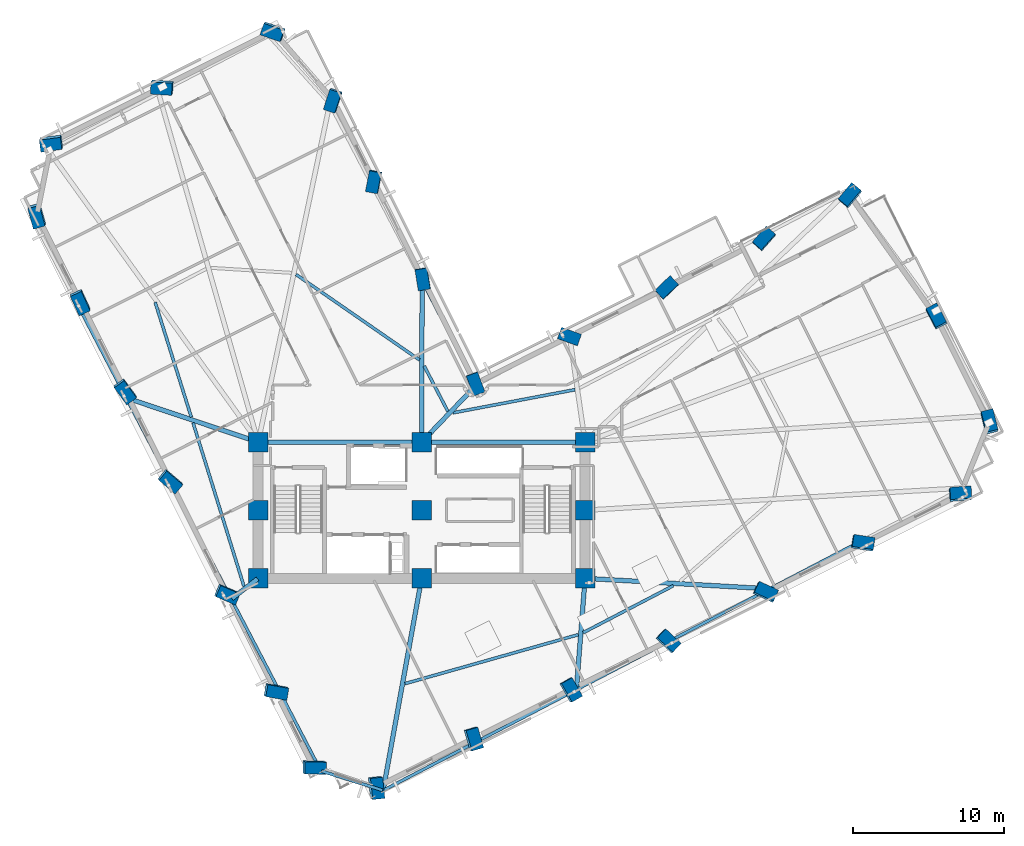
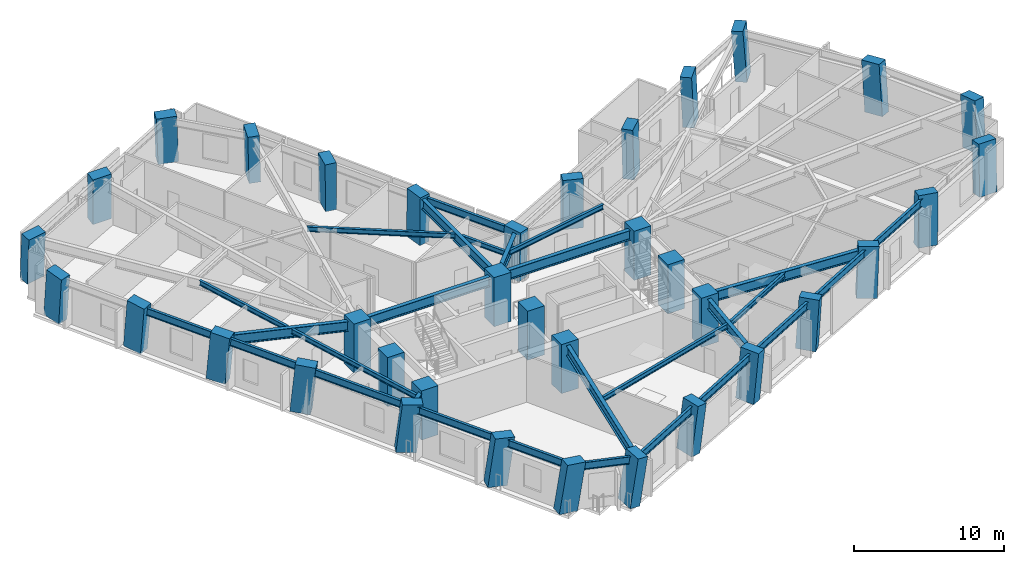
# One storey, part 1 of 16: 36 columns, 28 beams.
"""IFC4 building model written with IfcOpenShell, lengths in metres."""

from ifc_helpers import new_model, si_unit, direction, frame, origin, origin_2d, place, context, subcontext, project, spatial, rectangle, i_section, extrude, material, material_profile, profile_set, type_object, element, save


model = new_model("IFC4")

# Units and contexts
model_context = context("Model", 3, precision=1e-05, world=origin(), true_north=direction((0.0, 1.0)))
body_context = subcontext(model_context, "Body", "Model", "MODEL_VIEW")
ifc_project = project(units=[si_unit("LENGTHUNIT", "METRE"), si_unit("AREAUNIT", "SQUARE_METRE"), si_unit("VOLUMEUNIT", "CUBIC_METRE"), si_unit("PLANEANGLEUNIT", "RADIAN"), si_unit("MASSUNIT", "GRAM", prefix="KILO")], contexts=[model_context])

# Site, building, storey
site_placement = place(None, origin())
site = spatial("IfcSite", under=ifc_project, at=site_placement, CompositionType="ELEMENT")
building_placement = place(site_placement, origin())
building = spatial("IfcBuilding", under=site, at=building_placement, Name="Gaonmaruhae Medical Tower", CompositionType="ELEMENT")
storey_placement = place(building_placement, frame((0.0, 0.0, 136.39990234375)))
storey = spatial("IfcBuildingStorey", under=building, at=storey_placement, Name="L32", CompositionType="ELEMENT", Elevation=136.39990234375)

# Columns
ifc_material_1 = material(Name="Concrete C60/75", Category="concrete")
ifc_material_profile_1 = material_profile(ifc_material_1, rectangle(XDim=1.300048828125, YDim=1.300048828125, at=origin_2d()), Name="RC-1300x1300")
ifc_profile_set_1 = profile_set([ifc_material_profile_1], Name="Concrete C60/75")
column_type_1 = type_object("IfcColumnType", Name="CC-03 Zone 2 Core Column (RC-1300x1300)", PredefinedType="COLUMN", material=ifc_profile_set_1)
for number, where, z_axis, x_axis, name in (
    (1, (14.0, 7.800048828125, 0.0), (0.0, 0.0, 1.0), (1.0, 0.0, 0.0), "L32 Plumb Core Column CC11"),
    (2, (14.0, 12.300048828125, 0.0), (0.0, 0.0, 1.0), (1.0, 0.0, 0.0), "L32 Plumb Core Column CC12"),
    (3, (14.0, 16.800048828125, 0.0), (0.0, 0.0, 1.0), (1.0, 0.0, 0.0), "L32 Plumb Core Column CC13"),
    (4, (24.800048828125, 7.800048828125, 0.0), (0.0, 0.0, 1.0), (1.0, 0.0, 0.0), "L32 Plumb Core Column CC21"),
    (5, (24.800048828125, 12.300048828125, 0.0), (0.0, 0.0, 1.0), (1.0, 0.0, 0.0), "L32 Plumb Core Column CC22"),
    (6, (24.800048828125, 16.800048828125, 0.0), (0.0, 0.0, 1.0), (1.0, 0.0, 0.0), "L32 Plumb Core Column CC23"),
    (7, (35.60009765625, 7.800048828125, 0.0), (0.0, 0.0, 1.0), (1.0, 0.0, 0.0), "L32 Plumb Core Column CC31"),
    (8, (35.60009765625, 12.300048828125, 0.0), (0.0, 0.0, 1.0), (1.0, 0.0, 0.0), "L32 Plumb Core Column CC32"),
    (9, (35.60009765625, 16.800048828125, 0.0), (0.0, 0.0, 1.0), (1.0, 0.0, 0.0), "L32 Plumb Core Column CC33"),
):
    element("IfcColumn", number, at=place(storey_placement, frame(where, z_axis=z_axis, x_axis=x_axis)), inside=storey, type_object=column_type_1, Name=name, PredefinedType="COLUMN", context=body_context, shape_type="SweptSolid", body=[
        extrude(rectangle(XDim=1.300048828125, YDim=1.300048828125, at=origin_2d()), origin(), (0.0, 0.0, 1.0), 4.0),
    ])
ifc_material_profile_2 = material_profile(ifc_material_1, rectangle(XDim=1.39990234375, YDim=0.800048828125, at=origin_2d()), Name="RC-1400x800")
ifc_profile_set_2 = profile_set([ifc_material_profile_2], Name="Concrete C60/75")
column_type_2 = type_object("IfcColumnType", Name="TC-02 Mid Raking Tube Pier Column (RC-1400x800)", PredefinedType="COLUMN", material=ifc_profile_set_2)
column_1_placement = place(storey_placement, frame((21.74560546875, -6.020263671875, 0.001953125), z_axis=(0.126925294198, -0.047634814752, 0.990767830582), x_axis=(-0.101161353545, 0.993016408061, 0.060702502995)))
element("IfcColumn", 10, at=column_1_placement, inside=storey, type_object=column_type_2, Name="L32 Perimeter Tube Column S01", PredefinedType="COLUMN", context=body_context, shape_type="SweptSolid", body=[
    extrude(rectangle(XDim=1.39990234375, YDim=0.800048828125, at=origin_2d()), origin(), (0.0, 0.0, 1.0), 4.03369140625),
])
column_2_placement = place(storey_placement, frame((28.183349609375, -2.79638671875, 0.001953125), z_axis=(0.113835571582, -0.021359339657, 0.993269974001), x_axis=(-0.27222207335, 0.960835907914, 0.051860397653)))
element("IfcColumn", 11, at=column_2_placement, inside=storey, type_object=column_type_2, Name="L32 Perimeter Tube Column S02", PredefinedType="COLUMN", context=body_context, shape_type="SweptSolid", body=[
    extrude(rectangle(XDim=1.39990234375, YDim=0.800048828125, at=origin_2d()), origin(), (0.0, 0.0, 1.0), 4.0234375),
])
column_3_placement = place(storey_placement, frame((34.621337890625, 0.427490234375, 0.001953125), z_axis=(0.100471293785, 0.005044838103, 0.994927167552), x_axis=(-0.489767700686, 0.870688619745, 0.045043610104)))
element("IfcColumn", 12, at=column_3_placement, inside=storey, type_object=column_type_2, Name="L32 Perimeter Tube Column S03", PredefinedType="COLUMN", context=body_context, shape_type="SweptSolid", body=[
    extrude(rectangle(XDim=1.39990234375, YDim=0.800048828125, at=origin_2d()), origin(), (0.0, 0.0, 1.0), 4.0166015625),
])
column_4_placement = place(storey_placement, frame((41.05908203125, 3.6513671875, 0.001953125), z_axis=(0.087045946082, 0.031509294249, 0.995705864021), x_axis=(-0.7235601559, 0.68901563881, 0.041450576223)))
element("IfcColumn", 13, at=column_4_placement, inside=storey, type_object=column_type_2, Name="L32 Perimeter Tube Column S04", PredefinedType="COLUMN", context=body_context, shape_type="SweptSolid", body=[
    extrude(rectangle(XDim=1.39990234375, YDim=0.800048828125, at=origin_2d()), origin(), (0.0, 0.0, 1.0), 4.013671875),
])
column_5_placement = place(storey_placement, frame((47.4970703125, 6.875244140625, 0.001953125), z_axis=(0.073474149126, 0.057964291488, 0.995611214442), x_axis=(-0.903804980406, 0.425888036512, 0.041903910901)))
element("IfcColumn", 14, at=column_5_placement, inside=storey, type_object=column_type_2, Name="L32 Perimeter Tube Column S05", PredefinedType="COLUMN", context=body_context, shape_type="SweptSolid", body=[
    extrude(rectangle(XDim=1.39990234375, YDim=0.800048828125, at=origin_2d()), origin(), (0.0, 0.0, 1.0), 4.013916015625),
])
column_6_placement = place(storey_placement, frame((53.93505859375, 10.09912109375, 0.001953125), z_axis=(0.059912602707, 0.084339444784, 0.994634273535), x_axis=(-0.986866301457, 0.154755115005, 0.046322321071)))
element("IfcColumn", 15, at=column_6_placement, inside=storey, type_object=column_type_2, Name="L32 Perimeter Tube Column S06", PredefinedType="COLUMN", context=body_context, shape_type="SweptSolid", body=[
    extrude(rectangle(XDim=1.39990234375, YDim=0.800048828125, at=origin_2d()), origin(), (0.0, 0.0, 1.0), 4.017822265625),
])
column_7_placement = place(storey_placement, frame((60.372802734375, 13.3232421875, 0.001953125), z_axis=(0.046336981836, 0.110565861109, 0.992788030987), x_axis=(-0.996481062966, -0.064374604157, 0.053678687488)))
element("IfcColumn", 16, at=column_7_placement, inside=storey, type_object=column_type_2, Name="L32 Perimeter Tube Column S07", PredefinedType="COLUMN", context=body_context, shape_type="SweptSolid", body=[
    extrude(rectangle(XDim=1.39990234375, YDim=0.800048828125, at=origin_2d()), origin(), (0.0, 0.0, 1.0), 4.025390625),
])
column_8_placement = place(storey_placement, frame((62.29296875, 18.087158203125, 0.001953125), z_axis=(0.026621060483, 0.118309086564, 0.992619906699), x_axis=(0.241997163548, -0.964199136858, 0.108431532849)))
element("IfcColumn", 17, at=column_8_placement, inside=storey, type_object=column_type_2, Name="L32 Perimeter Tube Column E01", PredefinedType="COLUMN", context=body_context, shape_type="SweptSolid", body=[
    extrude(rectangle(XDim=1.39990234375, YDim=0.800048828125, at=origin_2d()), origin(), (0.0, 0.0, 1.0), 4.026123046875),
])
column_9_placement = place(storey_placement, frame((58.80029296875, 25.0615234375, 0.001953125), z_axis=(-0.001944330539, 0.103900163198, 0.994585831221), x_axis=(0.464319911257, -0.880779809394, 0.092919036668)))
element("IfcColumn", 18, at=column_9_placement, inside=storey, type_object=column_type_2, Name="L32 Perimeter Tube Column E02", PredefinedType="COLUMN", context=body_context, shape_type="SweptSolid", body=[
    extrude(rectangle(XDim=1.39990234375, YDim=0.800048828125, at=origin_2d()), origin(), (0.0, 0.0, 1.0), 4.01806640625),
])
column_10_placement = place(storey_placement, frame((53.11572265625, 33.063232421875, 0.001953125), z_axis=(-0.034749312252, 0.080270302732, 0.996167236862), x_axis=(-0.643362887967, -0.764558887204, 0.039165065868)))
element("IfcColumn", 19, at=column_10_placement, inside=storey, type_object=column_type_2, Name="L32 Perimeter Tube Column E03", PredefinedType="COLUMN", context=body_context, shape_type="SweptSolid", body=[
    extrude(rectangle(XDim=1.39990234375, YDim=0.800048828125, at=origin_2d()), origin(), (0.0, 0.0, 1.0), 4.01171875),
])
column_11_placement = place(storey_placement, frame((47.43798828125, 30.2197265625, 0.001953125), z_axis=(-0.022926759668, 0.057072997472, 0.998106726082), x_axis=(-0.663121749052, -0.748004750264, 0.027539780598)))
element("IfcColumn", 20, at=column_11_placement, inside=storey, type_object=column_type_2, Name="L32 Perimeter Tube Column EN01", PredefinedType="COLUMN", context=body_context, shape_type="SweptSolid", body=[
    extrude(rectangle(XDim=1.39990234375, YDim=0.800048828125, at=origin_2d()), origin(), (0.0, 0.0, 1.0), 4.00390625),
])
column_12_placement = place(storey_placement, frame((41.0, 26.995849609375, 0.001953125), z_axis=(-0.00934215371, 0.030590973914, 0.999488327335), x_axis=(-0.724454110909, -0.689174234147, 0.014321877472)))
element("IfcColumn", 21, at=column_12_placement, inside=storey, type_object=column_type_2, Name="L32 Perimeter Tube Column EN02", PredefinedType="COLUMN", context=body_context, shape_type="SweptSolid", body=[
    extrude(rectangle(XDim=1.39990234375, YDim=0.800048828125, at=origin_2d()), origin(), (0.0, 0.0, 1.0), 3.998291015625),
])
column_13_placement = place(storey_placement, frame((34.562255859375, 23.77197265625, 0.001953125), z_axis=(0.004215213278, 0.004031943135, 0.999982987561), x_axis=(-0.941623611576, 0.336657322205, 0.002611805604)))
element("IfcColumn", 22, at=column_13_placement, inside=storey, type_object=column_type_2, Name="L32 Perimeter Tube Column EN03", PredefinedType="COLUMN", context=body_context, shape_type="SweptSolid", body=[
    extrude(rectangle(XDim=1.39990234375, YDim=0.800048828125, at=origin_2d()), origin(), (0.0, 0.0, 1.0), 3.996337890625),
])
column_14_placement = place(storey_placement, frame((28.347900390625, 20.659912109375, 0.001953125), z_axis=(0.017282154619, -0.021617960194, 0.99961692209), x_axis=(-0.345727391393, 0.93796742084, 0.026261916961)))
element("IfcColumn", 23, at=column_14_placement, inside=storey, type_object=column_type_2, Name="L32 Perimeter Tube Column KN01", PredefinedType="COLUMN", context=body_context, shape_type="SweptSolid", body=[
    extrude(rectangle(XDim=1.39990234375, YDim=0.800048828125, at=origin_2d()), origin(), (0.0, 0.0, 1.0), 3.997802734375),
])
column_15_placement = place(storey_placement, frame((24.877685546875, 27.589599609375, 0.001953125), z_axis=(-0.011293721781, -0.036200956843, 0.999280712599), x_axis=(-0.161338689322, 0.986316421564, 0.033907873448)))
element("IfcColumn", 24, at=column_15_placement, inside=storey, type_object=column_type_2, Name="L32 Perimeter Tube Column NE01", PredefinedType="COLUMN", context=body_context, shape_type="SweptSolid", body=[
    extrude(rectangle(XDim=1.39990234375, YDim=0.800048828125, at=origin_2d()), origin(), (0.0, 0.0, 1.0), 3.999267578125),
])
column_16_placement = place(storey_placement, frame((21.65380859375, 34.027587890625, 0.001953125), z_axis=(-0.037802459463, -0.04975291439, 0.998045901534), x_axis=(0.183369674187, 0.981455024932, 0.055871250433)))
element("IfcColumn", 25, at=column_16_placement, inside=storey, type_object=column_type_2, Name="L32 Perimeter Tube Column NE02", PredefinedType="COLUMN", context=body_context, shape_type="SweptSolid", body=[
    extrude(rectangle(XDim=1.39990234375, YDim=0.800048828125, at=origin_2d()), origin(), (0.0, 0.0, 1.0), 4.004150390625),
])
column_17_placement = place(storey_placement, frame((18.967041015625, 39.392578125, 0.001953125), z_axis=(-0.059772525944, -0.060929020845, 0.996350791419), x_axis=(0.304258319509, 0.949527435754, 0.076318567594)))
element("IfcColumn", 26, at=column_17_placement, inside=storey, type_object=column_type_2, Name="L32 Perimeter Tube Column NE03", PredefinedType="COLUMN", context=body_context, shape_type="SweptSolid", body=[
    extrude(rectangle(XDim=1.39990234375, YDim=0.800048828125, at=origin_2d()), origin(), (0.0, 0.0, 1.0), 4.010986328125),
])
column_18_placement = place(storey_placement, frame((15.00634765625, 43.95166015625, 0.001953125), z_axis=(-0.078268881294, -0.077236630726, 0.993935855624), x_axis=(0.944827172425, -0.323847816388, 0.049236227186)))
element("IfcColumn", 27, at=column_18_placement, inside=storey, type_object=column_type_2, Name="L32 Perimeter Tube Column N01", PredefinedType="COLUMN", context=body_context, shape_type="SweptSolid", body=[
    extrude(rectangle(XDim=1.39990234375, YDim=0.800048828125, at=origin_2d()), origin(), (0.0, 0.0, 1.0), 4.020751953125),
])
column_19_placement = place(storey_placement, frame((7.67431640625, 40.280029296875, 0.001953125), z_axis=(-0.062739809267, -0.107172930226, 0.992258877189), x_axis=(0.996113486721, -0.068307600286, 0.055605695)))
element("IfcColumn", 28, at=column_19_placement, inside=storey, type_object=column_type_2, Name="L32 Perimeter Tube Column N02", PredefinedType="COLUMN", context=body_context, shape_type="SweptSolid", body=[
    extrude(rectangle(XDim=1.39990234375, YDim=0.800048828125, at=origin_2d()), origin(), (0.0, 0.0, 1.0), 4.027587890625),
])
column_20_placement = place(storey_placement, frame((0.34228515625, 36.608154296875, 0.001953125), z_axis=(-0.047270230349, -0.136793518259, 0.98947110048), x_axis=(0.989820714281, 0.126709664213, 0.0648044333)))
element("IfcColumn", 29, at=column_20_placement, inside=storey, type_object=column_type_2, Name="L32 Perimeter Tube Column N03", PredefinedType="COLUMN", context=body_context, shape_type="SweptSolid", body=[
    extrude(rectangle(XDim=1.39990234375, YDim=0.800048828125, at=origin_2d()), origin(), (0.0, 0.0, 1.0), 4.038818359375),
])
column_21_placement = place(storey_placement, frame((-0.6162109375, 31.822509765625, 0.001953125), z_axis=(-0.027630407763, -0.140630915662, 0.98967646538), x_axis=(-0.268755906488, 0.954645429211, 0.128149784292)))
element("IfcColumn", 30, at=column_21_placement, inside=storey, type_object=column_type_2, Name="L32 Perimeter Tube Column W01", PredefinedType="COLUMN", context=body_context, shape_type="SweptSolid", body=[
    extrude(rectangle(XDim=1.39990234375, YDim=0.800048828125, at=origin_2d()), origin(), (0.0, 0.0, 1.0), 4.0380859375),
])
column_22_placement = place(storey_placement, frame((2.24951171875, 26.099853515625, 0.001953125), z_axis=(-0.004301232882, -0.128915824962, 0.991646211847), x_axis=(-0.417942591827, 0.901122566633, 0.115334772911)))
element("IfcColumn", 31, at=column_22_placement, inside=storey, type_object=column_type_2, Name="L32 Perimeter Tube Column W02", PredefinedType="COLUMN", context=body_context, shape_type="SweptSolid", body=[
    extrude(rectangle(XDim=1.39990234375, YDim=0.800048828125, at=origin_2d()), origin(), (0.0, 0.0, 1.0), 4.030029296875),
])
column_23_placement = place(storey_placement, frame((5.204833984375, 20.198486328125, 0.001953125), z_axis=(0.019896938328, -0.116712528487, 0.992966413097), x_axis=(-0.590599930302, 0.799990252323, 0.105864623533)))
element("IfcColumn", 32, at=column_23_placement, inside=storey, type_object=column_type_2, Name="L32 Perimeter Tube Column W03", PredefinedType="COLUMN", context=body_context, shape_type="SweptSolid", body=[
    extrude(rectangle(XDim=1.39990234375, YDim=0.800048828125, at=origin_2d()), origin(), (0.0, 0.0, 1.0), 4.024658203125),
])
column_24_placement = place(storey_placement, frame((8.182373046875, 14.25244140625, 0.001953125), z_axis=(0.044309037801, -0.104338679425, 0.993554301055), x_axis=(-0.759390194111, 0.642691936865, 0.10135880513)))
element("IfcColumn", 33, at=column_24_placement, inside=storey, type_object=column_type_2, Name="L32 Perimeter Tube Column W04", PredefinedType="COLUMN", context=body_context, shape_type="SweptSolid", body=[
    extrude(rectangle(XDim=1.39990234375, YDim=0.800048828125, at=origin_2d()), origin(), (0.0, 0.0, 1.0), 4.022216796875),
])
column_25_placement = place(storey_placement, frame((11.921142578125, 6.786376953125, 0.001953125), z_axis=(0.07493745698, -0.088650708217, 0.993239865025), x_axis=(-0.915289640209, 0.389193777444, 0.103793439703)))
element("IfcColumn", 34, at=column_25_placement, inside=storey, type_object=column_type_2, Name="L32 Perimeter Tube Column W05", PredefinedType="COLUMN", context=body_context, shape_type="SweptSolid", body=[
    extrude(rectangle(XDim=1.39990234375, YDim=0.800048828125, at=origin_2d()), origin(), (0.0, 0.0, 1.0), 4.0234375),
])
column_26_placement = place(storey_placement, frame((15.145263671875, 0.348388671875, 0.001953125), z_axis=(0.101149218004, -0.075028599094, 0.992038076394), x_axis=(-0.979190923594, 0.168832799685, 0.112608263027)))
element("IfcColumn", 35, at=column_26_placement, inside=storey, type_object=column_type_2, Name="L32 Perimeter Tube Column W06", PredefinedType="COLUMN", context=body_context, shape_type="SweptSolid", body=[
    extrude(rectangle(XDim=1.39990234375, YDim=0.800048828125, at=origin_2d()), origin(), (0.0, 0.0, 1.0), 4.0283203125),
])
column_27_placement = place(storey_placement, frame((17.652587890625, -4.658935546875, 0.001953125), z_axis=(0.121505111852, -0.064443697272, 0.990496601547), x_axis=(-0.992219327589, 0.019412757143, 0.12297947316)))
element("IfcColumn", 36, at=column_27_placement, inside=storey, type_object=column_type_2, Name="L32 Perimeter Tube Column W07", PredefinedType="COLUMN", context=body_context, shape_type="SweptSolid", body=[
    extrude(rectangle(XDim=1.39990234375, YDim=0.800048828125, at=origin_2d()), origin(), (0.0, 0.0, 1.0), 4.03466796875),
])

# Beams
ifc_material_2 = material(Name="Steel SM355", Category="steel")
ifc_material_profile_3 = material_profile(ifc_material_2, i_section(OverallWidth=0.199951171875, OverallDepth=0.39990234375, WebThickness=0.008056640625, FlangeThickness=0.012939453125, FilletRadius=0.012939453125, at=origin_2d()), Name="H-400x200x8x13")
ifc_profile_set_3 = profile_set([ifc_material_profile_3], Name="Steel SM355")
beam_type_1 = type_object("IfcBeamType", Name="FJ-01 Lower Zone Ward Floor Joist (H-400x200x8x13)", PredefinedType="JOIST", material=ifc_profile_set_3)
beam_1_placement = place(storey_placement, frame((23.6953125, 0.8408203125, 3.580078125), z_axis=(0.962308469824, 0.271960307592, 0.0), x_axis=(-0.271960307592, 0.962308469824, 0.0)))
element("IfcBeam", 37, at=beam_1_placement, inside=storey, type_object=beam_type_1, Name="L32 Secondary Floor Joist FJ01", PredefinedType="JOIST", context=body_context, shape_type="SweptSolid", body=[
    extrude(i_section(OverallWidth=0.199951171875, OverallDepth=0.39990234375, WebThickness=0.008056640625, FlangeThickness=0.012939453125, FilletRadius=0.012939453125, at=origin_2d()), origin(), (0.0, 0.0, 1.0), 11.90625),
])
beam_2_placement = place(storey_placement, frame((35.474609375, 4.20849609375, 3.580078125), z_axis=(0.886612707832, 0.462512601245, 0.0), x_axis=(-0.462512601245, 0.886612707832, 0.0)))
element("IfcBeam", 38, at=beam_2_placement, inside=storey, type_object=beam_type_1, Name="L32 Secondary Floor Joist FJ02", PredefinedType="JOIST", context=body_context, shape_type="SweptSolid", body=[
    extrude(i_section(OverallWidth=0.199951171875, OverallDepth=0.39990234375, WebThickness=0.008056640625, FlangeThickness=0.012939453125, FilletRadius=0.012939453125, at=origin_2d()), origin(), (0.0, 0.0, 1.0), 6.718017578125),
])
beam_3_placement = place(storey_placement, frame((34.93603515625, 20.264892578125, 3.580078125), z_axis=(-0.982514573597, -0.18618569405, 0.0), x_axis=(0.18618569405, -0.982514573597, 0.0)))
element("IfcBeam", 39, at=beam_3_placement, inside=storey, type_object=beam_type_1, Name="L32 Secondary Floor Joist FJ08", PredefinedType="JOIST", context=body_context, shape_type="SweptSolid", body=[
    extrude(i_section(OverallWidth=0.199951171875, OverallDepth=0.39990234375, WebThickness=0.008056640625, FlangeThickness=0.012939453125, FilletRadius=0.012939453125, at=origin_2d()), origin(), (0.0, 0.0, 1.0), 8.211181640625),
])
beam_4_placement = place(storey_placement, frame((26.532470703125, 18.83251953125, 3.580078125), z_axis=(-0.462479663172, 0.886629889611, 0.0), x_axis=(-0.886629889611, -0.462479663172, 0.0)))
element("IfcBeam", 40, at=beam_4_placement, inside=storey, type_object=beam_type_1, Name="L32 Secondary Floor Joist FJ09", PredefinedType="JOIST", context=body_context, shape_type="SweptSolid", body=[
    extrude(i_section(OverallWidth=0.199951171875, OverallDepth=0.39990234375, WebThickness=0.008056640625, FlangeThickness=0.012939453125, FilletRadius=0.012939453125, at=origin_2d()), origin(), (0.0, 0.0, 1.0), 3.38232421875),
])
beam_5_placement = place(storey_placement, frame((24.66162109375, 22.2294921875, 3.580078125), z_axis=(-0.822202819616, 0.569194627009, 0.0), x_axis=(-0.569194627009, -0.822202819616, 0.0)))
element("IfcBeam", 41, at=beam_5_placement, inside=storey, type_object=beam_type_1, Name="L32 Secondary Floor Joist FJ10", PredefinedType="JOIST", context=body_context, shape_type="SweptSolid", body=[
    extrude(i_section(OverallWidth=0.199951171875, OverallDepth=0.39990234375, WebThickness=0.008056640625, FlangeThickness=0.012939453125, FilletRadius=0.012939453125, at=origin_2d()), origin(), (0.0, 0.0, 1.0), 9.923583984375),
])
beam_6_placement = place(storey_placement, frame((7.19580078125, 26.04541015625, 3.580078125), z_axis=(0.299951726278, -0.953954381458, 0.0), x_axis=(0.953954381458, 0.299951726278, 0.0)))
element("IfcBeam", 42, at=beam_6_placement, inside=storey, type_object=beam_type_1, Name="L32 Secondary Floor Joist FJ13", PredefinedType="JOIST", context=body_context, shape_type="SweptSolid", body=[
    extrude(i_section(OverallWidth=0.199951171875, OverallDepth=0.39990234375, WebThickness=0.008056640625, FlangeThickness=0.012939453125, FilletRadius=0.012939453125, at=origin_2d()), origin(), (0.0, 0.0, 1.0), 7.965087890625),
])
beam_7_placement = place(storey_placement, frame((9.69921875, 18.081787109375, 3.580078125), z_axis=(0.297076166405, -0.954853785327, 0.0), x_axis=(0.954853785327, 0.297076166405, 0.0)))
element("IfcBeam", 43, at=beam_7_placement, inside=storey, type_object=beam_type_1, Name="L32 Secondary Floor Joist FJ14", PredefinedType="JOIST", context=body_context, shape_type="SweptSolid", body=[
    extrude(i_section(OverallWidth=0.199951171875, OverallDepth=0.39990234375, WebThickness=0.008056640625, FlangeThickness=0.012939453125, FilletRadius=0.012939453125, at=origin_2d()), origin(), (0.0, 0.0, 1.0), 11.319580078125),
])
ifc_material_3 = material(Name="Steel SM420", Category="steel")
ifc_material_profile_4 = material_profile(ifc_material_3, i_section(OverallWidth=0.300048828125, OverallDepth=0.800048828125, WebThickness=0.013916015625, FlangeThickness=0.02587890625, FilletRadius=0.01806640625, at=origin_2d()), Name="H-800x300x14x26")
ifc_profile_set_4 = profile_set([ifc_material_profile_4], Name="Steel SM420")
beam_type_2 = type_object("IfcBeamType", Name="PG-02 Zone 2 Radial Floor Girder (H-800x300x14x26)", PredefinedType="BEAM", material=ifc_profile_set_4)
for number, where, z_axis, x_axis, name in (
    (44, (14.050048828125, 16.800048828125, 3.380126953125), (1.0, 0.0, 0.0), (0.0, 1.0, 0.0), "L32 Beam BM-L32-CG-N1"),
    (45, (24.85009765625, 16.800048828125, 3.380126953125), (1.0, 0.0, 0.0), (0.0, 1.0, 0.0), "L32 Beam BM-L32-CG-N2"),
):
    element("IfcBeam", number, at=place(storey_placement, frame(where, z_axis=z_axis, x_axis=x_axis)), inside=storey, type_object=beam_type_2, Name=name, PredefinedType="BEAM", context=body_context, shape_type="SweptSolid", body=[
        extrude(i_section(OverallWidth=0.300048828125, OverallDepth=0.800048828125, WebThickness=0.013916015625, FlangeThickness=0.02587890625, FilletRadius=0.01806640625, at=origin_2d()), origin(), (0.0, 0.0, 1.0), 10.699951171875),
    ])
beam_8_placement = place(storey_placement, frame((24.791015625, 7.750732421875, 3.380126953125), z_axis=(-0.178498008208, -0.983940273119, 0.0), x_axis=(0.983940273119, -0.178498008208, 0.0)))
element("IfcBeam", 46, at=beam_8_placement, inside=storey, type_object=beam_type_2, Name="L32 Radial Primary Girder S01", PredefinedType="BEAM", context=body_context, shape_type="SweptSolid", body=[
    extrude(i_section(OverallWidth=0.300048828125, OverallDepth=0.800048828125, WebThickness=0.013916015625, FlangeThickness=0.02587890625, FilletRadius=0.01806640625, at=origin_2d()), origin(), (0.0, 0.0, 1.0), 14.14111328125),
])
beam_9_placement = place(storey_placement, frame((35.59619140625, 7.750244140625, 3.380126953125), z_axis=(-0.077959069913, -0.996956560447, 0.0), x_axis=(0.996956560447, -0.077959069913, 0.0)))
element("IfcBeam", 47, at=beam_9_placement, inside=storey, type_object=beam_type_2, Name="L32 Radial Primary Girder S03", PredefinedType="BEAM", context=body_context, shape_type="SweptSolid", body=[
    extrude(i_section(OverallWidth=0.300048828125, OverallDepth=0.800048828125, WebThickness=0.013916015625, FlangeThickness=0.02587890625, FilletRadius=0.01806640625, at=origin_2d()), origin(), (0.0, 0.0, 1.0), 7.27490234375),
])
beam_10_placement = place(storey_placement, frame((35.64990234375, 7.797119140625, 3.380126953125), z_axis=(0.998393401149, -0.056662302658, 0.0), x_axis=(0.056662302658, 0.998393401149, 0.0)))
element("IfcBeam", 48, at=beam_10_placement, inside=storey, type_object=beam_type_2, Name="L32 Radial Primary Girder S05", PredefinedType="BEAM", context=body_context, shape_type="SweptSolid", body=[
    extrude(i_section(OverallWidth=0.300048828125, OverallDepth=0.800048828125, WebThickness=0.013916015625, FlangeThickness=0.02587890625, FilletRadius=0.01806640625, at=origin_2d()), origin(), (0.0, 0.0, 1.0), 12.11181640625),
])
beam_11_placement = place(storey_placement, frame((24.834716796875, 16.836181640625, 3.380126953125), z_axis=(0.691996372128, 0.721900977255, 0.0), x_axis=(-0.721900977255, 0.691996372128, 0.0)))
element("IfcBeam", 49, at=beam_11_placement, inside=storey, type_object=beam_type_2, Name="L32 Radial Primary Girder KN01", PredefinedType="BEAM", context=body_context, shape_type="SweptSolid", body=[
    extrude(i_section(OverallWidth=0.300048828125, OverallDepth=0.800048828125, WebThickness=0.013916015625, FlangeThickness=0.02587890625, FilletRadius=0.01806640625, at=origin_2d()), origin(), (0.0, 0.0, 1.0), 5.126953125),
])
beam_12_placement = place(storey_placement, frame((24.800048828125, 16.85009765625, 3.380126953125), z_axis=(0.003079330634, 0.99999525885, 0.0), x_axis=(-0.99999525885, 0.003079330634, 0.0)))
element("IfcBeam", 50, at=beam_12_placement, inside=storey, type_object=beam_type_2, Name="L32 Radial Primary Girder NE01", PredefinedType="BEAM", context=body_context, shape_type="SweptSolid", body=[
    extrude(i_section(OverallWidth=0.300048828125, OverallDepth=0.800048828125, WebThickness=0.013916015625, FlangeThickness=0.02587890625, FilletRadius=0.01806640625, at=origin_2d()), origin(), (0.0, 0.0, 1.0), 10.544677734375),
])
beam_13_placement = place(storey_placement, frame((13.95263671875, 16.81591796875, 3.380126953125), z_axis=(-0.94791270021, 0.318530238409, 0.0), x_axis=(-0.318530238409, -0.94791270021, 0.0)))
element("IfcBeam", 51, at=beam_13_placement, inside=storey, type_object=beam_type_2, Name="L32 Radial Primary Girder W03", PredefinedType="BEAM", context=body_context, shape_type="SweptSolid", body=[
    extrude(i_section(OverallWidth=0.300048828125, OverallDepth=0.800048828125, WebThickness=0.013916015625, FlangeThickness=0.02587890625, FilletRadius=0.01806640625, at=origin_2d()), origin(), (0.0, 0.0, 1.0), 9.093994140625),
])
beam_14_placement = place(storey_placement, frame((13.96044921875, 7.76953125, 3.380126953125), z_axis=(-0.791853044689, -0.610711679614, 0.0), x_axis=(0.610711679614, -0.791853044689, 0.0)))
element("IfcBeam", 52, at=beam_14_placement, inside=storey, type_object=beam_type_2, Name="L32 Radial Primary Girder W05", PredefinedType="BEAM", context=body_context, shape_type="SweptSolid", body=[
    extrude(i_section(OverallWidth=0.300048828125, OverallDepth=0.800048828125, WebThickness=0.013916015625, FlangeThickness=0.02587890625, FilletRadius=0.01806640625, at=origin_2d()), origin(), (0.0, 0.0, 1.0), 2.144287109375),
])
ifc_material_profile_5 = material_profile(ifc_material_2, i_section(OverallWidth=0.199951171875, OverallDepth=0.60009765625, WebThickness=0.010986328125, FlangeThickness=0.01708984375, FilletRadius=0.012939453125, at=origin_2d()), Name="H-600x200x11x17")
ifc_profile_set_5 = profile_set([ifc_material_profile_5], Name="Steel SM355")
beam_type_3 = type_object("IfcBeamType", Name="SP-01 Lower Perimeter Spandrel Beam (H-600x200x11x17)", PredefinedType="SPANDREL", material=ifc_profile_set_5)
for number, where, z_axis, x_axis, name in (
    (53, (22.29345703125, -6.194091796875, 3.47998046875), (0.886600130935, 0.462536709707, 0.0), (-0.462536709707, 0.886600130935, 0.0), "L32 Perimeter Spandrel Beam S01-S02"),
    (54, (28.677001953125, -2.864013671875, 3.47998046875), (0.886600130935, 0.462536709707, 0.0), (-0.462536709707, 0.886600130935, 0.0), "L32 Perimeter Spandrel Beam S02-S03"),
    (55, (35.060546875, 0.46630859375, 3.47998046875), (0.886600130935, 0.462536709707, 0.0), (-0.462536709707, 0.886600130935, 0.0), "L32 Perimeter Spandrel Beam S03-S04"),
):
    element("IfcBeam", number, at=place(storey_placement, frame(where, z_axis=z_axis, x_axis=x_axis)), inside=storey, type_object=beam_type_3, Name=name, PredefinedType="SPANDREL", context=body_context, shape_type="SweptSolid", body=[
        extrude(i_section(OverallWidth=0.199951171875, OverallDepth=0.60009765625, WebThickness=0.010986328125, FlangeThickness=0.01708984375, FilletRadius=0.012939453125, at=origin_2d()), origin(), (0.0, 0.0, 1.0), 7.119873046875),
    ])
for number, where, z_axis, x_axis, name in (
    (56, (41.444091796875, 3.79638671875, 3.47998046875), (0.886607466593, 0.462522648291, 0.0), (-0.462522648291, 0.886607466593, 0.0), "L32 Perimeter Spandrel Beam S04-S05"),
    (57, (47.82763671875, 7.12646484375, 3.47998046875), (0.886607466593, 0.462522648291, 0.0), (-0.462522648291, 0.886607466593, 0.0), "L32 Perimeter Spandrel Beam S05-S06"),
):
    element("IfcBeam", number, at=place(storey_placement, frame(where, z_axis=z_axis, x_axis=x_axis)), inside=storey, type_object=beam_type_3, Name=name, PredefinedType="SPANDREL", context=body_context, shape_type="SweptSolid", body=[
        extrude(i_section(OverallWidth=0.199951171875, OverallDepth=0.60009765625, WebThickness=0.010986328125, FlangeThickness=0.01708984375, FilletRadius=0.012939453125, at=origin_2d()), origin(), (0.0, 0.0, 1.0), 7.1201171875),
    ])
beam_15_placement = place(storey_placement, frame((28.398681640625, 20.609130859375, 3.47998046875), z_axis=(-0.462527932727, 0.886604709805, 0.0), x_axis=(-0.886604709805, -0.462527932727, 0.0)))
element("IfcBeam", 58, at=beam_15_placement, inside=storey, type_object=beam_type_3, Name="L32 Perimeter Spandrel Beam KN01-NE01", PredefinedType="SPANDREL", context=body_context, shape_type="SweptSolid", body=[
    extrude(i_section(OverallWidth=0.199951171875, OverallDepth=0.60009765625, WebThickness=0.010986328125, FlangeThickness=0.01708984375, FilletRadius=0.012939453125, at=origin_2d()), origin(), (0.0, 0.0, 1.0), 7.669921875),
])
beam_16_placement = place(storey_placement, frame((2.250732421875, 25.544677734375, 3.47998046875), z_axis=(0.462530174108, -0.886603540507, 0.0), x_axis=(0.886603540507, 0.462530174108, 0.0)))
element("IfcBeam", 59, at=beam_16_placement, inside=storey, type_object=beam_type_3, Name="L32 Perimeter Spandrel Beam W02-W03", PredefinedType="SPANDREL", context=body_context, shape_type="SweptSolid", body=[
    extrude(i_section(OverallWidth=0.199951171875, OverallDepth=0.60009765625, WebThickness=0.010986328125, FlangeThickness=0.01708984375, FilletRadius=0.012939453125, at=origin_2d()), origin(), (0.0, 0.0, 1.0), 6.519775390625),
])
beam_17_placement = place(storey_placement, frame((5.303466796875, 19.693115234375, 3.47998046875), z_axis=(0.462531717464, -0.886602735356, 0.0), x_axis=(0.886602735356, 0.462531717464, 0.0)))
element("IfcBeam", 60, at=beam_17_placement, inside=storey, type_object=beam_type_3, Name="L32 Perimeter Spandrel Beam W03-W04", PredefinedType="SPANDREL", context=body_context, shape_type="SweptSolid", body=[
    extrude(i_section(OverallWidth=0.199951171875, OverallDepth=0.60009765625, WebThickness=0.010986328125, FlangeThickness=0.01708984375, FilletRadius=0.012939453125, at=origin_2d()), origin(), (0.0, 0.0, 1.0), 6.570068359375),
])
beam_18_placement = place(storey_placement, frame((8.379150390625, 13.797119140625, 3.47998046875), z_axis=(0.462533721998, -0.886601689607, 0.0), x_axis=(0.886601689607, 0.462533721998, 0.0)))
element("IfcBeam", 61, at=beam_18_placement, inside=storey, type_object=beam_type_3, Name="L32 Perimeter Spandrel Beam W04-W05", PredefinedType="SPANDREL", context=body_context, shape_type="SweptSolid", body=[
    extrude(i_section(OverallWidth=0.199951171875, OverallDepth=0.60009765625, WebThickness=0.010986328125, FlangeThickness=0.01708984375, FilletRadius=0.012939453125, at=origin_2d()), origin(), (0.0, 0.0, 1.0), 8.27001953125),
])
beam_19_placement = place(storey_placement, frame((12.2412109375, 6.39404296875, 3.47998046875), z_axis=(0.462522648291, -0.886607466593, 0.0), x_axis=(0.886607466593, 0.462522648291, 0.0)))
element("IfcBeam", 62, at=beam_19_placement, inside=storey, type_object=beam_type_3, Name="L32 Perimeter Spandrel Beam W05-W06", PredefinedType="SPANDREL", context=body_context, shape_type="SweptSolid", body=[
    extrude(i_section(OverallWidth=0.199951171875, OverallDepth=0.60009765625, WebThickness=0.010986328125, FlangeThickness=0.01708984375, FilletRadius=0.012939453125, at=origin_2d()), origin(), (0.0, 0.0, 1.0), 7.1201171875),
])
beam_20_placement = place(storey_placement, frame((15.571533203125, 0.010498046875, 3.47998046875), z_axis=(0.462504032205, -0.886617177926, 0.0), x_axis=(0.886617177926, 0.462504032205, 0.0)))
element("IfcBeam", 63, at=beam_20_placement, inside=storey, type_object=beam_type_3, Name="L32 Perimeter Spandrel Beam W06-W07", PredefinedType="SPANDREL", context=body_context, shape_type="SweptSolid", body=[
    extrude(i_section(OverallWidth=0.199951171875, OverallDepth=0.60009765625, WebThickness=0.010986328125, FlangeThickness=0.01708984375, FilletRadius=0.012939453125, at=origin_2d()), origin(), (0.0, 0.0, 1.0), 5.52001953125),
])
beam_21_placement = place(storey_placement, frame((18.18115234375, -4.93115234375, 3.47998046875), z_axis=(0.953975805819, -0.299883580598, 0.0), x_axis=(0.299883580598, 0.953975805819, 0.0)))
element("IfcBeam", 64, at=beam_21_placement, inside=storey, type_object=beam_type_3, Name="L32 Perimeter Spandrel Beam W07-S01", PredefinedType="SPANDREL", context=body_context, shape_type="SweptSolid", body=[
    extrude(i_section(OverallWidth=0.199951171875, OverallDepth=0.60009765625, WebThickness=0.010986328125, FlangeThickness=0.01708984375, FilletRadius=0.012939453125, at=origin_2d()), origin(), (0.0, 0.0, 1.0), 4.2333984375),
])

save(model, "model.ifc")
